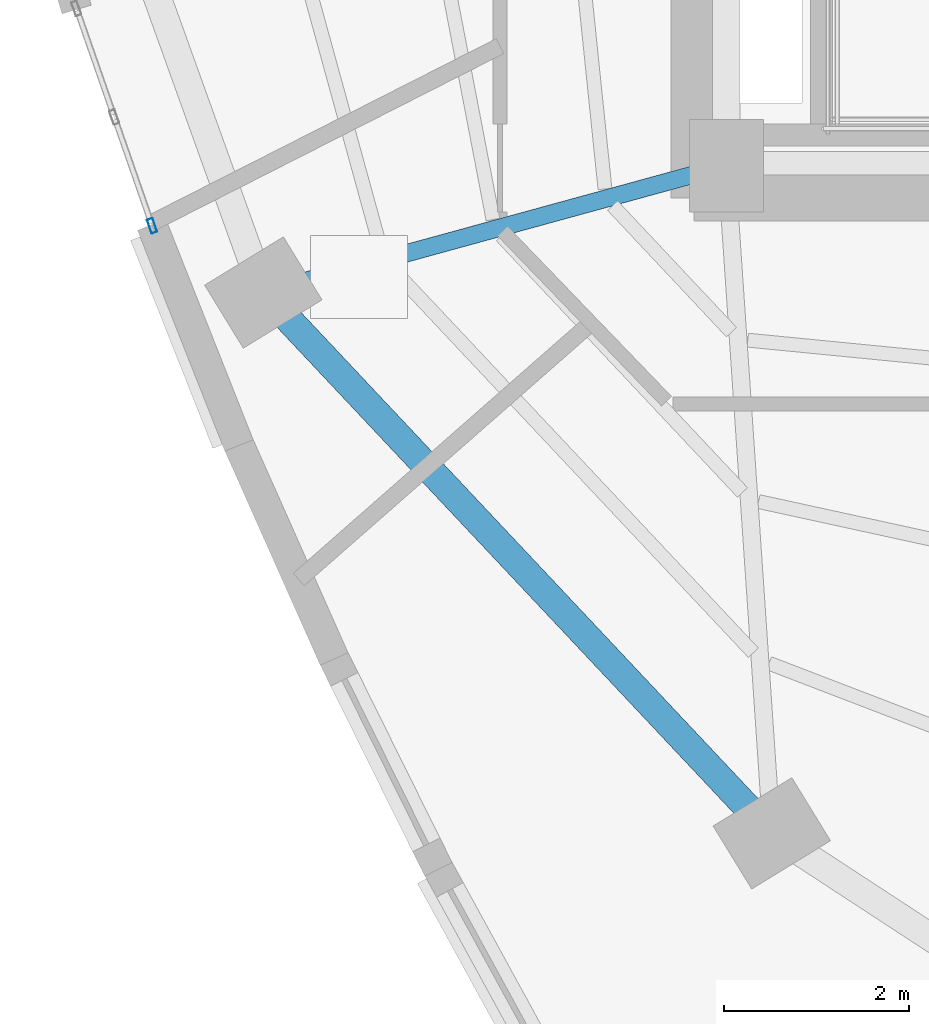
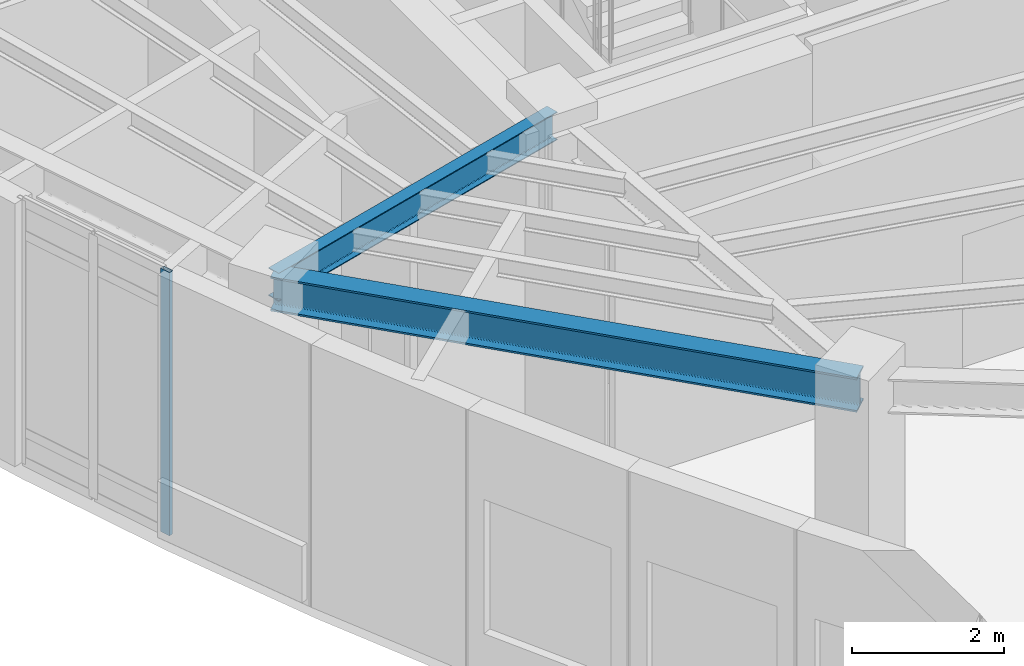
# One storey, part 2 of 18: 2 beams, 1 member, 1 element without a shape of its own.
"""IFC4 building model written with IfcOpenShell, lengths in metres."""

from ifc_helpers import new_model, si_unit, direction, frame, origin, origin_2d, place, context, subcontext, project, spatial, hollow_rectangle, i_section, extrude, material, layer, layer_set, material_profile, profile_set, type_object, element, aggregate, save


model = new_model("IFC4")

# Units and contexts
model_context = context("Model", 3, precision=1e-05, world=origin(), true_north=direction((0.0, 1.0)))
body_context = subcontext(model_context, "Body", "Model", "MODEL_VIEW")
ifc_project = project(units=[si_unit("LENGTHUNIT", "METRE"), si_unit("AREAUNIT", "SQUARE_METRE"), si_unit("VOLUMEUNIT", "CUBIC_METRE"), si_unit("PLANEANGLEUNIT", "RADIAN"), si_unit("MASSUNIT", "GRAM", prefix="KILO")], contexts=[model_context])

# Site, building, storey
site_placement = place(None, origin())
site = spatial("IfcSite", under=ifc_project, at=site_placement, CompositionType="ELEMENT")
building_placement = place(site_placement, origin())
building = spatial("IfcBuilding", under=site, at=building_placement, Name="Ndelora Gate Hotel", CompositionType="ELEMENT")
storey_placement = place(building_placement, frame((0.0, 0.0, 173.75)))
storey = spatial("IfcBuildingStorey", under=building, at=storey_placement, Name="L43", CompositionType="ELEMENT", Elevation=173.75)

# Beams
ifc_material_1 = material(Name="Steel S355", Category="steel")
ifc_material_profile_1 = material_profile(ifc_material_1, i_section(OverallWidth=0.18994140625, OverallDepth=0.449951171875, WebThickness=0.009521484375, FlangeThickness=0.0146484375, FilletRadius=0.02099609375, at=origin_2d()), Name="IPE 450")
ifc_profile_set_1 = profile_set([ifc_material_profile_1], Name="Steel S355")
beam_type_1 = type_object("IfcBeamType", Name="BM-RAD-450", PredefinedType="BEAM", material=ifc_profile_set_1)
beam_1_placement = place(storey_placement, frame((-8.0, -6.60009765625, 3.985107421875), z_axis=(-0.96442695542, -0.264349480157, 0.0), x_axis=(0.264349480157, -0.96442695542, 0.0)))
element("IfcBeam", 1, at=beam_1_placement, inside=storey, type_object=beam_type_1, Name="L43 Radial Floor Girder 3", PredefinedType="BEAM", context=body_context, shape_type="SweptSolid", body=[
    extrude(i_section(OverallWidth=0.18994140625, OverallDepth=0.449951171875, WebThickness=0.009521484375, FlangeThickness=0.0146484375, FilletRadius=0.02099609375, at=origin_2d()), origin(), (0.0, 0.0, 1.0), 5.19677734375),
])
ifc_material_profile_2 = material_profile(ifc_material_1, i_section(OverallWidth=0.300048828125, OverallDepth=0.550048828125, WebThickness=0.014892578125, FlangeThickness=0.029052734375, FilletRadius=0.027099609375, at=origin_2d()), Name="HEB 550")
ifc_profile_set_2 = profile_set([ifc_material_profile_2], Name="Steel S355")
beam_type_2 = type_object("IfcBeamType", Name="BM-RING-550", PredefinedType="SPANDREL", material=ifc_profile_set_2)
beam_2_placement = place(storey_placement, frame((-13.011962890625, -7.973876953125, 3.93505859375), z_axis=(0.684939043371, -0.728600375285, 0.0), x_axis=(0.728600375285, 0.684939043371, 0.0)))
element("IfcBeam", 2, at=beam_2_placement, inside=storey, type_object=beam_type_2, Name="L43 Perimeter Spandrel Girder 3", PredefinedType="SPANDREL", context=body_context, shape_type="SweptSolid", body=[
    extrude(i_section(OverallWidth=0.300048828125, OverallDepth=0.550048828125, WebThickness=0.014892578125, FlangeThickness=0.029052734375, FilletRadius=0.027099609375, at=origin_2d()), origin(), (0.0, 0.0, 1.0), 8.03515625),
])

# Curtain wall, member
ifc_material_2 = material(Name="Bronze Anodised Unitised Aluminium and Low-E Glass", Category="aluminium")
ifc_layer = layer(ifc_material_2, 0.2099609375)
ifc_layer_set = layer_set([ifc_layer], Name="Bronze Anodised Unitised Aluminium and Low-E Glass")
curtain_wall_type = type_object("IfcCurtainWallType", Name="CW-SYS-5", PredefinedType="NOTDEFINED", material=ifc_layer_set)
curtain_wall_placement = place(storey_placement, origin())
curtain_wall = element("IfcCurtainWall", 3, at=curtain_wall_placement, inside=storey, type_object=curtain_wall_type, Name="L43 Upper Sky-Lobby & Altitude Fitness Curtain Wall 2", PredefinedType="NOTDEFINED")
ifc_material_3 = material(Name="Bronze Anodised Aluminium 6063-T6", Category="aluminium")
ifc_material_profile_3 = material_profile(ifc_material_3, hollow_rectangle(XDim=0.06494140625, YDim=0.159912109375, WallThickness=0.00390625, InnerFilletRadius=0.00390625, OuterFilletRadius=0.008056640625, at=origin_2d()), Name="ALU 160x65x4")
ifc_profile_set_3 = profile_set([ifc_material_profile_3], Name="Bronze Anodised Aluminium 6063-T6")
member_type = type_object("IfcMemberType", Name="MB-CW-MUL150", PredefinedType="MULLION", material=ifc_profile_set_3)
member_placement = place(storey_placement, frame((-14.216796875, -7.251220703125, -0.00390625), z_axis=(0.0, 0.0, 1.0), x_axis=(0.944369534728, 0.32888627499, 0.0)))
member = element("IfcMember", 4, at=member_placement, type_object=member_type, Name="CW5 mullion 3", PredefinedType="MULLION", context=body_context, shape_type="SweptSolid", body=[
    extrude(hollow_rectangle(XDim=0.06494140625, YDim=0.159912109375, WallThickness=0.00390625, InnerFilletRadius=0.00390625, OuterFilletRadius=0.008056640625, at=origin_2d()), origin(), (0.0, 0.0, 1.0), 4.218017578125),
])
aggregate(curtain_wall, [member])

save(model, "model.ifc")
